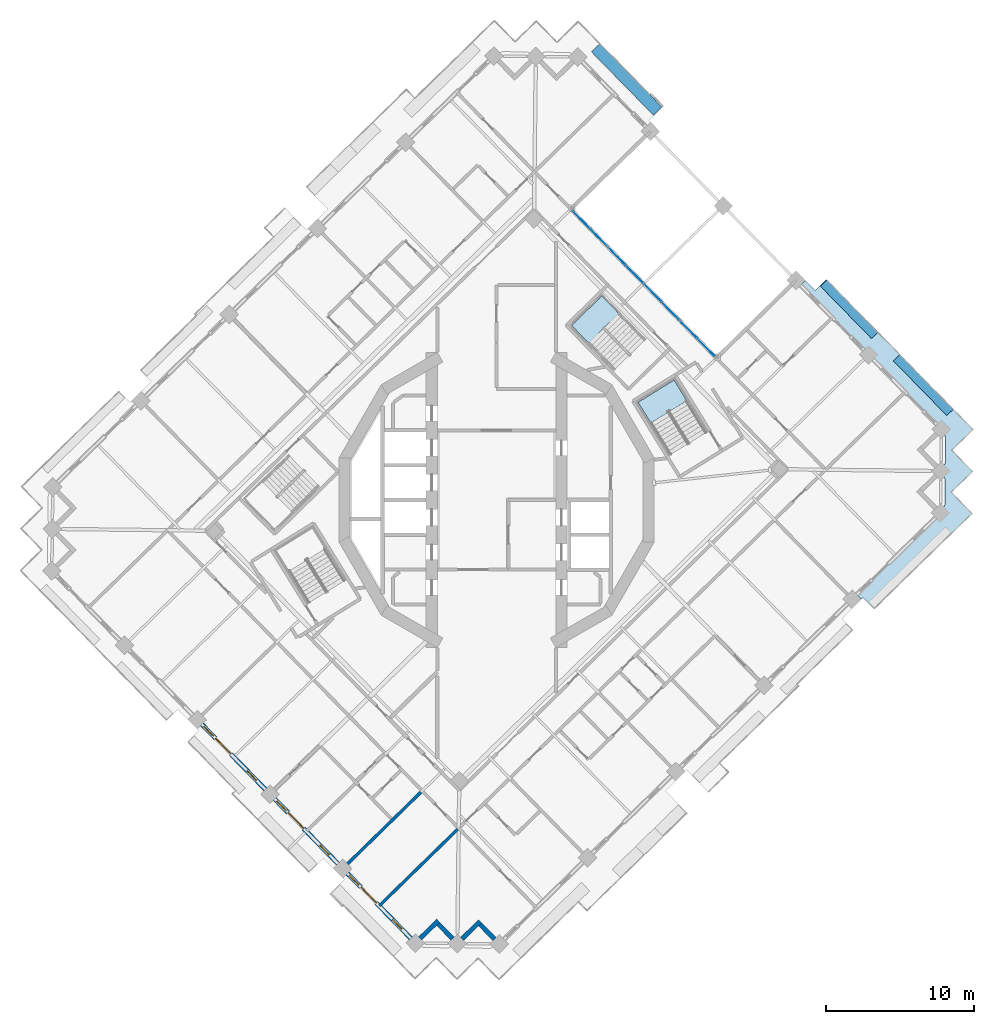
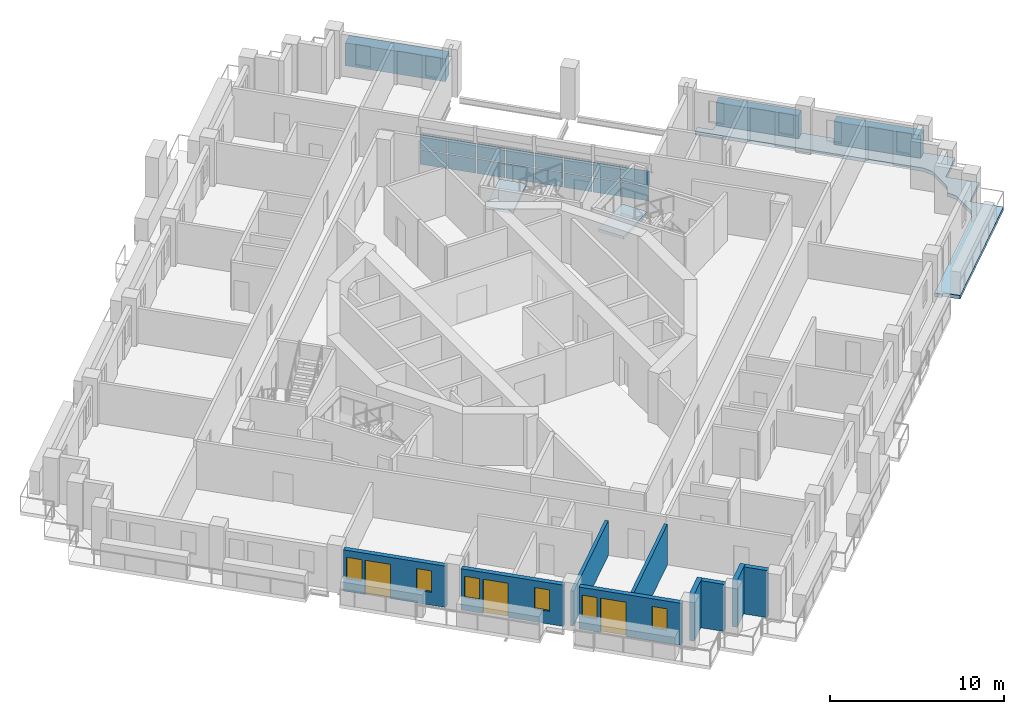
# One storey, part 6 of 20: 19 plates, 9 walls, 6 windows, 3 doors, 3 slabs, 9 openings, 3 elements without a shape of their own.
"""IFC4 building model written with IfcOpenShell, lengths in metres."""

import ifcopenshell
import ifcopenshell.guid

model = None  # the IFC model being written
_history = None  # IfcOwnerHistory: only IFC2X3 demands one
_inside = {}  # id of a spatial element -> (the spatial element, [elements in it])
_under = {}  # id of a project, library or spatial element -> (it, [spatial elements below it])
_declared = {}  # id of a project -> (the project, [libraries it declares])
_typed = {}  # id of a type object -> (the type object, [elements of that type])
_made_of = {}  # id of a material, layer set ... -> (it, [elements and type objects made of it])


def new_model(schema):
    """Start an empty IFC model of exactly this schema.

    Asked for "IFC4X3", IfcOpenShell would pick the latest addendum, in which some entities
    have other attributes; the version numbers below select the first issue.
    IFC2X3 requires an IfcOwnerHistory on every rooted entity: one is made here for all.
    """
    global model, _history
    if schema == "IFC4X3":
        model = ifcopenshell.file(schema_version=(4, 3, 0, 0))
    else:
        model = ifcopenshell.file(schema=schema)
    _inside.clear()
    _under.clear()
    _declared.clear()
    _typed.clear()
    _made_of.clear()
    _history = None
    if model.schema == "IFC2X3":
        org = make("IfcOrganization", Name="unknown")
        user = make(
            "IfcPersonAndOrganization",
            ThePerson=make("IfcPerson", FamilyName="unknown"),
            TheOrganization=org,
        )
        app = make(
            "IfcApplication",
            ApplicationDeveloper=org,
            Version="unknown",
            ApplicationFullName="unknown",
            ApplicationIdentifier="unknown",
        )
        _history = make(
            "IfcOwnerHistory",
            OwningUser=user,
            OwningApplication=app,
            ChangeAction="ADDED",
            CreationDate=0,
        )
    return model


def make(cls, **values):
    """One entity of the class cls with the attributes given. An attribute that is None is left unset."""
    return model.create_entity(
        cls, **{name: value for name, value in values.items() if value is not None}
    )


def rooted(cls, **values):
    """An entity with a GlobalId (a new one), such as an element, a storey or a relation."""
    return make(cls, GlobalId=ifcopenshell.guid.new(), OwnerHistory=_history, **values)


def si_unit(unit_type, name, prefix=None):
    """IfcSIUnit, for example si_unit("LENGTHUNIT", "METRE", prefix="MILLI")."""
    return make("IfcSIUnit", UnitType=unit_type, Prefix=prefix, Name=name)


def assignment(units):
    """IfcUnitAssignment: the units of a project."""
    return None if units is None else make("IfcUnitAssignment", Units=units)


def point(xyz):
    """IfcCartesianPoint."""
    return None if xyz is None else make("IfcCartesianPoint", Coordinates=xyz)


def direction(xyz):
    """IfcDirection."""
    return None if xyz is None else make("IfcDirection", DirectionRatios=xyz)


def frame(location, z_axis=None, x_axis=None):
    """IfcAxis2Placement3D, a coordinate frame: its origin and axes. An axis left out is left unset."""
    return make(
        "IfcAxis2Placement3D",
        Location=point(location),
        Axis=direction(z_axis),
        RefDirection=direction(x_axis),
    )


def frame_2d(location, x_axis=None):
    """IfcAxis2Placement2D, a coordinate frame in the plane: its origin and x axis."""
    return make(
        "IfcAxis2Placement2D", Location=point(location), RefDirection=direction(x_axis)
    )


def origin():
    """The frame at (0, 0, 0) with its axes left unset."""
    return frame((0.0, 0.0, 0.0))


def origin_2d():
    """The frame at (0, 0) in the plane with its x axis left unset."""
    return frame_2d((0.0, 0.0))


def place(relative_to, where):
    """IfcLocalPlacement: puts the frame where relative to a parent placement (None: the world)."""
    return make(
        "IfcLocalPlacement", PlacementRelTo=relative_to, RelativePlacement=where
    )


def context(
    kind, dimensions, precision=None, world=None, true_north=None, identifier=None
):
    """IfcGeometricRepresentationContext, for example the 3D "Model" context."""
    return make(
        "IfcGeometricRepresentationContext",
        ContextIdentifier=identifier,
        ContextType=kind,
        CoordinateSpaceDimension=dimensions,
        Precision=precision,
        WorldCoordinateSystem=world,
        TrueNorth=true_north,
    )


def subcontext(parent, identifier, kind, view, scale=None):
    """IfcGeometricRepresentationSubContext, for example "Body" below "Model"."""
    return make(
        "IfcGeometricRepresentationSubContext",
        ContextIdentifier=identifier,
        ContextType=kind,
        ParentContext=parent,
        TargetScale=scale,
        TargetView=view,
    )


def project(units=None, contexts=None):
    """IfcProject with its units and contexts."""
    return rooted(
        "IfcProject",
        Name="project",
        RepresentationContexts=contexts,
        UnitsInContext=assignment(units),
    )


def spatial(cls, under=None, at=None, **own):
    """A site, building, storey or space (cls), placed at a placement, below another one or the project."""
    s = rooted(cls, ObjectPlacement=at, **own)
    if under is not None:
        _under.setdefault(under.id(), (under, []))[1].append(s)
    return s


def polyline(points):
    """IfcPolyline through the points."""
    return make("IfcPolyline", Points=[point(p) for p in points])


def profile(cls, at=None, kind="AREA", **sizes):
    """A parametric profile (cls). Its sizes go by their IFC names, for example OverallWidth=200.0."""
    return make(cls, ProfileType=kind, Position=at, **sizes)


def rectangle(**sizes):
    """IfcRectangleProfileDef."""
    return profile("IfcRectangleProfileDef", **sizes)


def outline(outer, holes=None, kind="AREA"):
    """IfcArbitraryClosedProfileDef: a profile drawn as a closed curve; with holes, ...WithVoids."""
    if holes is None:
        return make("IfcArbitraryClosedProfileDef", ProfileType=kind, OuterCurve=outer)
    return make(
        "IfcArbitraryProfileDefWithVoids",
        ProfileType=kind,
        OuterCurve=outer,
        InnerCurves=holes,
    )


def extrude(swept, where, along, depth):
    """IfcExtrudedAreaSolid: the profile swept, set in the frame where, extruded along a direction by depth."""
    return make(
        "IfcExtrudedAreaSolid",
        SweptArea=swept,
        Position=where,
        ExtrudedDirection=direction(along),
        Depth=depth,
    )


def shape(context_of_items, identifier, shape_type, items):
    """IfcShapeRepresentation: the items that make up one representation, for example the "Body"."""
    return make(
        "IfcShapeRepresentation",
        ContextOfItems=context_of_items,
        RepresentationIdentifier=identifier,
        RepresentationType=shape_type,
        Items=items,
    )


def material(Name=None, Category=None):
    """IfcMaterial."""
    return make("IfcMaterial", Name=Name, Category=Category)


def layer(
    of_material, thickness, ventilated=None, Name=None, Category=None, Priority=None
):
    """IfcMaterialLayer: one layer of a wall or slab, of a material (None: an air gap)."""
    return make(
        "IfcMaterialLayer",
        Material=of_material,
        LayerThickness=thickness,
        IsVentilated=ventilated,
        Name=Name,
        Category=Category,
        Priority=Priority,
    )


def layer_set(layers, Name=None):
    """IfcMaterialLayerSet."""
    return make("IfcMaterialLayerSet", MaterialLayers=layers, LayerSetName=Name)


def made_of(thing, what):
    """Note that an element or type object is made of a material, layer set ...; save() writes the relation."""
    if what is not None:
        _made_of.setdefault(what.id(), (what, []))[1].append(thing)
    return thing


def type_object(cls, material=None, **own):
    """A type object (cls), such as IfcWallType, which elements share."""
    return made_of(rooted(cls, **own), material)


def element(
    cls,
    number,
    at=None,
    inside=None,
    cuts=None,
    type_object=None,
    material=None,
    context=None,
    identifier="Body",
    shape_type=None,
    held_by="IfcProductDefinitionShape",
    body=None,
    shapes=None,
    **own,
):
    """One element of the class cls, such as IfcWall. Its Tag is "e" and its number.

    at: its placement. inside: the storey or other place that contains it. cuts: it is an
    opening in that element (IfcRelVoidsElement). A single representation is given by context,
    identifier, shape_type and body (its items); several are given by shapes. held_by: the class
    of the entity that holds the representations. save() writes the other relations.
    """
    e = rooted(cls, Tag="e%d" % number, ObjectPlacement=at, **own)
    if body is not None:
        shapes = [shape(context, identifier, shape_type, body)]
    if shapes is not None:
        e.Representation = make(held_by, Representations=shapes)
    if inside is not None:
        _inside.setdefault(inside.id(), (inside, []))[1].append(e)
    if cuts is not None:
        rooted(
            "IfcRelVoidsElement", RelatingBuildingElement=cuts, RelatedOpeningElement=e
        )
    if type_object is not None:
        _typed.setdefault(type_object.id(), (type_object, []))[1].append(e)
    return made_of(e, material)


def fill(opening, filler):
    """IfcRelFillsElement: the door or window that sits in an opening."""
    return rooted(
        "IfcRelFillsElement",
        RelatingOpeningElement=opening,
        RelatedBuildingElement=filler,
    )


def aggregate(whole, parts):
    """IfcRelAggregates: a whole, such as a stair, and the parts it consists of."""
    return rooted("IfcRelAggregates", RelatingObject=whole, RelatedObjects=parts)


def save(model, path):
    """Write the relations noted so far, then the file.

    IfcRelAggregates (storeys below a building ...), IfcRelContainedInSpatialStructure (elements
    in a storey), IfcRelDefinesByType, IfcRelAssociatesMaterial and IfcRelDeclares: one each for
    every whole, place, type object, material and project.
    """
    for whole, parts in _under.values():
        aggregate(whole, parts)
    for where, things in _inside.values():
        rooted(
            "IfcRelContainedInSpatialStructure",
            RelatedElements=things,
            RelatingStructure=where,
        )
    for kind, things in _typed.values():
        rooted("IfcRelDefinesByType", RelatedObjects=things, RelatingType=kind)
    for what, things in _made_of.values():
        rooted("IfcRelAssociatesMaterial", RelatedObjects=things, RelatingMaterial=what)
    for by, libraries in _declared.values():
        rooted("IfcRelDeclares", RelatingContext=by, RelatedDefinitions=libraries)
    model.write(path)


model = new_model("IFC4")

# Units and contexts
model_context = context("Model", 3, precision=1e-05, world=origin(), true_north=direction((0.0, 1.0)))
body_context = subcontext(model_context, "Body", "Model", "MODEL_VIEW")
ifc_project = project(units=[si_unit("LENGTHUNIT", "METRE"), si_unit("AREAUNIT", "SQUARE_METRE"), si_unit("VOLUMEUNIT", "CUBIC_METRE"), si_unit("PLANEANGLEUNIT", "RADIAN"), si_unit("MASSUNIT", "GRAM", prefix="KILO")], contexts=[model_context])

# Site, building, storey
site_placement = place(None, origin())
site = spatial("IfcSite", under=ifc_project, at=site_placement, CompositionType="ELEMENT")
building_placement = place(site_placement, origin())
building = spatial("IfcBuilding", under=site, at=building_placement, Name="Cantera Rosa Tower", CompositionType="ELEMENT")
storey_placement = place(building_placement, frame((0.0, 0.0, 212.60009765625)))
storey = spatial("IfcBuildingStorey", under=building, at=storey_placement, Name="L45", CompositionType="ELEMENT", Elevation=212.60009765625)

# Curtain wall, plates
ifc_material_1 = material(Name="Aluminium frame with clear glass", Category="aluminium")
curtain_wall_type = type_object("IfcCurtainWallType", Name="CW1 TERRACE POCKET GLAZING", PredefinedType="NOTDEFINED", material=ifc_material_1)
curtain_wall_placement = place(storey_placement, origin())
curtain_wall = element("IfcCurtainWall", 1, at=curtain_wall_placement, inside=storey, type_object=curtain_wall_type, Name="CW1 CW1", PredefinedType="NOTDEFINED")
ifc_material_2 = material(Name="Aluminium frame with clear glass", Category="aluminium")
ifc_layer_1 = layer(ifc_material_2, 0.028076171875)
ifc_layer_set_1 = layer_set([ifc_layer_1], Name="CW-PANEL POCKET")
plate_type_1 = type_object("IfcPlateType", Name="CW-PANEL POCKET", PredefinedType="CURTAIN_PANEL", material=ifc_layer_set_1)
plate_1_placement = place(storey_placement, frame((14.127197265625, 10.295654296875, 0.059814453125), z_axis=(0.0, 0.0, 1.0), x_axis=(-0.698831540376, 0.715286291058, 0.0)))
plate_1 = element("IfcPlate", 2, at=plate_1_placement, type_object=plate_type_1, Name="CW1 panel 1.1", PredefinedType="CURTAIN_PANEL", context=body_context, shape_type="SweptSolid", body=[
    extrude(rectangle(XDim=1.6337890625, YDim=0.028076171875, at=origin_2d()), origin(), (0.0, 0.0, 1.0), 1.01611328125),
])
plate_2_placement = place(storey_placement, frame((14.127197265625, 10.295654296875, 1.1357421875), z_axis=(0.0, 0.0, 1.0), x_axis=(-0.698831540376, 0.715286291058, 0.0)))
plate_2 = element("IfcPlate", 3, at=plate_2_placement, type_object=plate_type_1, Name="CW1 panel 1.2", PredefinedType="CURTAIN_PANEL", context=body_context, shape_type="SweptSolid", body=[
    extrude(rectangle(XDim=1.6337890625, YDim=0.028076171875, at=origin_2d()), origin(), (0.0, 0.0, 1.0), 1.01611328125),
])
plate_3_placement = place(storey_placement, frame((12.93310546875, 11.51806640625, 0.059814453125), z_axis=(0.0, 0.0, 1.0), x_axis=(-0.698831540376, 0.715286291058, 0.0)))
plate_3 = element("IfcPlate", 4, at=plate_3_placement, type_object=plate_type_1, Name="CW1 panel 2.1", PredefinedType="CURTAIN_PANEL", context=body_context, shape_type="SweptSolid", body=[
    extrude(rectangle(XDim=1.663818359375, YDim=0.028076171875, at=origin_2d()), origin(), (0.0, 0.0, 1.0), 1.01611328125),
])
plate_4_placement = place(storey_placement, frame((12.93310546875, 11.51806640625, 1.1357421875), z_axis=(0.0, 0.0, 1.0), x_axis=(-0.698831540376, 0.715286291058, 0.0)))
plate_4 = element("IfcPlate", 5, at=plate_4_placement, type_object=plate_type_1, Name="CW1 panel 2.2", PredefinedType="CURTAIN_PANEL", context=body_context, shape_type="SweptSolid", body=[
    extrude(rectangle(XDim=1.663818359375, YDim=0.028076171875, at=origin_2d()), origin(), (0.0, 0.0, 1.0), 1.01611328125),
])
plate_5_placement = place(storey_placement, frame((11.728515625, 12.7509765625, 0.059814453125), z_axis=(0.0, 0.0, 1.0), x_axis=(-0.698831540376, 0.715286291058, 0.0)))
plate_5 = element("IfcPlate", 6, at=plate_5_placement, type_object=plate_type_1, Name="CW1 panel 3.1", PredefinedType="CURTAIN_PANEL", context=body_context, shape_type="SweptSolid", body=[
    extrude(rectangle(XDim=1.663818359375, YDim=0.028076171875, at=origin_2d()), origin(), (0.0, 0.0, 1.0), 1.01611328125),
])
plate_6_placement = place(storey_placement, frame((11.728515625, 12.7509765625, 1.1357421875), z_axis=(0.0, 0.0, 1.0), x_axis=(-0.698831540376, 0.715286291058, 0.0)))
plate_6 = element("IfcPlate", 7, at=plate_6_placement, type_object=plate_type_1, Name="CW1 panel 3.2", PredefinedType="CURTAIN_PANEL", context=body_context, shape_type="SweptSolid", body=[
    extrude(rectangle(XDim=1.663818359375, YDim=0.028076171875, at=origin_2d()), origin(), (0.0, 0.0, 1.0), 1.01611328125),
])
plate_7_placement = place(storey_placement, frame((10.52392578125, 13.98388671875, 0.059814453125), z_axis=(0.0, 0.0, 1.0), x_axis=(-0.698831540376, 0.715286291058, 0.0)))
plate_7 = element("IfcPlate", 8, at=plate_7_placement, type_object=plate_type_1, Name="CW1 panel 4.1", PredefinedType="CURTAIN_PANEL", context=body_context, shape_type="SweptSolid", body=[
    extrude(rectangle(XDim=1.663818359375, YDim=0.028076171875, at=origin_2d()), origin(), (0.0, 0.0, 1.0), 1.01611328125),
])
plate_8_placement = place(storey_placement, frame((10.52392578125, 13.98388671875, 1.1357421875), z_axis=(0.0, 0.0, 1.0), x_axis=(-0.698831540376, 0.715286291058, 0.0)))
plate_8 = element("IfcPlate", 9, at=plate_8_placement, type_object=plate_type_1, Name="CW1 panel 4.2", PredefinedType="CURTAIN_PANEL", context=body_context, shape_type="SweptSolid", body=[
    extrude(rectangle(XDim=1.663818359375, YDim=0.028076171875, at=origin_2d()), origin(), (0.0, 0.0, 1.0), 1.01611328125),
])
plate_9_placement = place(storey_placement, frame((9.3193359375, 15.217041015625, 0.059814453125), z_axis=(0.0, 0.0, 1.0), x_axis=(-0.698831540376, 0.715286291058, 0.0)))
plate_9 = element("IfcPlate", 10, at=plate_9_placement, type_object=plate_type_1, Name="CW1 panel 5.1", PredefinedType="CURTAIN_PANEL", context=body_context, shape_type="SweptSolid", body=[
    extrude(rectangle(XDim=1.663818359375, YDim=0.028076171875, at=origin_2d()), origin(), (0.0, 0.0, 1.0), 1.01611328125),
])
plate_10_placement = place(storey_placement, frame((9.3193359375, 15.217041015625, 1.1357421875), z_axis=(0.0, 0.0, 1.0), x_axis=(-0.698831540376, 0.715286291058, 0.0)))
plate_10 = element("IfcPlate", 11, at=plate_10_placement, type_object=plate_type_1, Name="CW1 panel 5.2", PredefinedType="CURTAIN_PANEL", context=body_context, shape_type="SweptSolid", body=[
    extrude(rectangle(XDim=1.663818359375, YDim=0.028076171875, at=origin_2d()), origin(), (0.0, 0.0, 1.0), 1.01611328125),
])
plate_11_placement = place(storey_placement, frame((8.11474609375, 16.449951171875, 0.059814453125), z_axis=(0.0, 0.0, 1.0), x_axis=(-0.698831540376, 0.715286291058, 0.0)))
plate_11 = element("IfcPlate", 12, at=plate_11_placement, type_object=plate_type_1, Name="CW1 panel 6.1", PredefinedType="CURTAIN_PANEL", context=body_context, shape_type="SweptSolid", body=[
    extrude(rectangle(XDim=1.663818359375, YDim=0.028076171875, at=origin_2d()), origin(), (0.0, 0.0, 1.0), 1.01611328125),
])
plate_12_placement = place(storey_placement, frame((8.11474609375, 16.449951171875, 1.1357421875), z_axis=(0.0, 0.0, 1.0), x_axis=(-0.698831540376, 0.715286291058, 0.0)))
plate_12 = element("IfcPlate", 13, at=plate_12_placement, type_object=plate_type_1, Name="CW1 panel 6.2", PredefinedType="CURTAIN_PANEL", context=body_context, shape_type="SweptSolid", body=[
    extrude(rectangle(XDim=1.663818359375, YDim=0.028076171875, at=origin_2d()), origin(), (0.0, 0.0, 1.0), 1.01611328125),
])
plate_13_placement = place(storey_placement, frame((6.909912109375, 17.682861328125, 0.059814453125), z_axis=(0.0, 0.0, 1.0), x_axis=(-0.698831540376, 0.715286291058, 0.0)))
plate_13 = element("IfcPlate", 14, at=plate_13_placement, type_object=plate_type_1, Name="CW1 panel 7.1", PredefinedType="CURTAIN_PANEL", context=body_context, shape_type="SweptSolid", body=[
    extrude(rectangle(XDim=1.663818359375, YDim=0.028076171875, at=origin_2d()), origin(), (0.0, 0.0, 1.0), 1.01611328125),
])
plate_14_placement = place(storey_placement, frame((6.909912109375, 17.682861328125, 1.1357421875), z_axis=(0.0, 0.0, 1.0), x_axis=(-0.698831540376, 0.715286291058, 0.0)))
plate_14 = element("IfcPlate", 15, at=plate_14_placement, type_object=plate_type_1, Name="CW1 panel 7.2", PredefinedType="CURTAIN_PANEL", context=body_context, shape_type="SweptSolid", body=[
    extrude(rectangle(XDim=1.663818359375, YDim=0.028076171875, at=origin_2d()), origin(), (0.0, 0.0, 1.0), 1.01611328125),
])
plate_15_placement = place(storey_placement, frame((5.7158203125, 18.905029296875, 0.059814453125), z_axis=(0.0, 0.0, 1.0), x_axis=(-0.698831540376, 0.715286291058, 0.0)))
plate_15 = element("IfcPlate", 16, at=plate_15_placement, type_object=plate_type_1, Name="CW1 panel 8.1", PredefinedType="CURTAIN_PANEL", context=body_context, shape_type="SweptSolid", body=[
    extrude(rectangle(XDim=1.6337890625, YDim=0.028076171875, at=origin_2d()), origin(), (0.0, 0.0, 1.0), 1.01611328125),
])
plate_16_placement = place(storey_placement, frame((5.7158203125, 18.905029296875, 1.1357421875), z_axis=(0.0, 0.0, 1.0), x_axis=(-0.698831540376, 0.715286291058, 0.0)))
plate_16 = element("IfcPlate", 17, at=plate_16_placement, type_object=plate_type_1, Name="CW1 panel 8.2", PredefinedType="CURTAIN_PANEL", context=body_context, shape_type="SweptSolid", body=[
    extrude(rectangle(XDim=1.6337890625, YDim=0.028076171875, at=origin_2d()), origin(), (0.0, 0.0, 1.0), 1.01611328125),
])
aggregate(curtain_wall, [plate_1, plate_2, plate_3, plate_4, plate_5, plate_6, plate_7, plate_8, plate_9, plate_10, plate_11, plate_12, plate_13, plate_14, plate_15, plate_16])

# Slab
ifc_material_3 = material(Name="Concrete C35/45", Category="concrete")
ifc_layer_2 = layer(ifc_material_3, 0.25)
ifc_layer_set_2 = layer_set([ifc_layer_2], Name="LOGGIA SLAB 250 C35/45")
slab_type_1 = type_object("IfcSlabType", Name="LOGGIA SLAB 250 C35/45", PredefinedType="FLOOR", material=ifc_layer_set_2)
slab_1_placement = place(storey_placement, frame((0.0, 0.0, -0.25)))
element("IfcSlab", 18, at=slab_1_placement, inside=storey, type_object=slab_type_1, Name="LOGGIA SLAB L45 7", PredefinedType="FLOOR", context=body_context, shape_type="SweptSolid", body=[
    extrude(outline(polyline([(27.218994140625, 9.7744140625), (31.076416015625, 5.825927734375), (32.124755859375, 4.753173828125), (31.0517578125, 3.704833984375), (30.694091796875, 3.35546875), (31.043701171875, 2.997802734375), (32.091796875, 1.9248046875), (31.018798828125, 0.876708984375), (30.661376953125, 0.527099609375), (31.0107421875, 0.16943359375), (32.05908203125, -0.9033203125), (30.986083984375, -1.95166015625), (26.10791015625, -6.7177734375), (25.464111328125, -7.3466796875), (24.730224609375, -6.595703125), (24.622802734375, -6.700439453125), (24.30859375, -6.37841796875), (29.937744140625, -0.878662109375), (30.2080078125, -0.386962890625), (30.220947265625, -0.3603515625), (30.231201171875, -0.332763671875), (30.23876953125, -0.30419921875), (30.243408203125, -0.275146484375), (30.2451171875, -0.245849609375), (30.26318359375, 1.309814453125), (30.26220703125, 1.339111328125), (30.25830078125, 1.368408203125), (30.25146484375, 1.39697265625), (30.24169921875, 1.4248046875), (30.2294921875, 1.451416015625), (29.970703125, 1.949462890625), (30.240966796875, 2.44140625), (30.25390625, 2.4677734375), (30.26416015625, 2.495361328125), (30.271484375, 2.52392578125), (30.2763671875, 2.552978515625), (30.278076171875, 2.58251953125), (30.296142578125, 4.137939453125), (30.295166015625, 4.167236328125), (30.291015625, 4.196533203125), (30.2841796875, 4.22509765625), (30.274658203125, 4.2529296875), (30.262451171875, 4.27978515625), (30.003662109375, 4.777587890625), (20.506591796875, 14.49853515625), (20.828369140625, 14.81298828125), (21.4921875, 14.13330078125), (22.243408203125, 14.8671875), (22.313232421875, 14.795654296875), (25.12255859375, 11.920166015625), (27.218994140625, 9.7744140625)])), origin(), (0.0, 0.0, 1.0), 0.25),
])

# Plates
ifc_material_4 = material(Name="Cantera stone planter with soil", Category="masonry")
plate_type_2 = type_object("IfcPlateType", Name="PLANTER 600", PredefinedType="USERDEFINED", material=ifc_material_4)
plate_17_placement = place(storey_placement, frame((28.77587890625, 7.75146484375, -0.000244140625), z_axis=(0.0, 0.0, 1.0), x_axis=(-0.698831540364, 0.71528629107, 0.0)))
element("IfcPlate", 19, at=plate_17_placement, inside=storey, type_object=plate_type_2, Name="PLANTER L45-01", ObjectType="PLANTER", PredefinedType="USERDEFINED", context=body_context, shape_type="SweptSolid", body=[
    extrude(rectangle(XDim=5.169921875, YDim=0.60009765625, at=origin_2d()), origin(), (0.0, 0.0, 1.0), 1.60009765625),
])
plate_18_placement = place(storey_placement, frame((23.78271484375, 12.8623046875, -0.000244140625), z_axis=(0.0, 0.0, 1.0), x_axis=(-0.698831540364, 0.71528629107, 0.0)))
element("IfcPlate", 20, at=plate_18_placement, inside=storey, type_object=plate_type_2, Name="PLANTER L45-02", ObjectType="PLANTER", PredefinedType="USERDEFINED", context=body_context, shape_type="SweptSolid", body=[
    extrude(rectangle(XDim=4.919921875, YDim=0.60009765625, at=origin_2d()), origin(), (0.0, 0.0, 1.0), 1.60009765625),
])
ifc_material_5 = material(Name="Cantera stone planter with soil", Category="masonry")
plate_type_3 = type_object("IfcPlateType", Name="PLANTER 800", PredefinedType="USERDEFINED", material=ifc_material_5)
plate_19_placement = place(storey_placement, frame((8.77001953125, 28.37158203125, -0.000244140625), z_axis=(0.0, 0.0, 1.0), x_axis=(-0.698831540364, 0.71528629107, 0.0)))
element("IfcPlate", 21, at=plate_19_placement, inside=storey, type_object=plate_type_3, Name="PLANTER L45-05", ObjectType="PLANTER", PredefinedType="USERDEFINED", context=body_context, shape_type="SweptSolid", body=[
    extrude(rectangle(XDim=5.969970703125, YDim=0.800048828125, at=origin_2d()), origin(), (0.0, 0.0, 1.0), 1.60009765625),
])

# Stair, slab
ifc_material_6 = material(Name="Concrete C35/45", Category="concrete")
stair_type = type_object("IfcStairType", Name="EXIT STAIR 1350 DOGLEG", PredefinedType="HALF_TURN_STAIR", material=ifc_material_6)
stair_1_placement = place(storey_placement, origin())
stair_1 = element("IfcStair", 22, at=stair_1_placement, inside=storey, type_object=stair_type, Name="L45 ST-41", PredefinedType="HALF_TURN_STAIR")
ifc_material_7 = material(Name="Concrete C35/45", Category="concrete")
ifc_layer_3 = layer(ifc_material_7, 0.199951171875)
ifc_layer_set_3 = layer_set([ifc_layer_3], Name="STAIR LANDING 200")
slab_type_2 = type_object("IfcSlabType", Name="STAIR LANDING 200", PredefinedType="LANDING", material=ifc_layer_set_3)
slab_2_placement = place(storey_placement, frame((0.0, 0.0, 1.599853515625)))
slab_2 = element("IfcSlab", 23, at=slab_2_placement, type_object=slab_type_2, Name="ST-41 landing 1", PredefinedType="LANDING", context=body_context, shape_type="SweptSolid", body=[
    extrude(outline(polyline([(12.8310546875, 6.691162109375), (11.96923828125, 8.088623046875), (9.54345703125, 6.592529296875), (10.405517578125, 5.19482421875), (12.8310546875, 6.691162109375)])), origin(), (0.0, 0.0, 1.0), 0.199951171875),
])
aggregate(stair_1, [slab_2])

stair_2_placement = place(storey_placement, origin())
stair_2 = element("IfcStair", 24, at=stair_2_placement, inside=storey, type_object=stair_type, Name="L45 ST-42", PredefinedType="HALF_TURN_STAIR")
slab_3_placement = place(storey_placement, frame((0.0, 0.0, 1.599853515625)))
slab_3 = element("IfcSlab", 25, at=slab_3_placement, type_object=slab_type_2, Name="ST-42 landing 1", PredefinedType="LANDING", context=body_context, shape_type="SweptSolid", body=[
    extrude(outline(polyline([(8.244873046875, 12.58837890625), (7.097412109375, 13.762939453125), (5.058837890625, 11.771240234375), (6.206298828125, 10.5966796875), (8.244873046875, 12.58837890625)])), origin(), (0.0, 0.0, 1.0), 0.199951171875),
])
aggregate(stair_2, [slab_3])

# Walls
ifc_material_8 = material(Name="Hollow clay masonry with cantera stone cladding", Category="masonry")
ifc_layer_4 = layer(ifc_material_8, 0.300048828125)
ifc_layer_set_4 = layer_set([ifc_layer_4], Name="EW-LOGGIA 300")
wall_type_1 = type_object("IfcWallType", Name="EW-LOGGIA 300", PredefinedType="SOLIDWALL", material=ifc_layer_set_4)
wall_1_placement = place(storey_placement, frame((-5.15283203125, -29.56982421875, 0.0), z_axis=(0.0, 0.0, 1.0), x_axis=(0.715316077832, 0.69880105094, 0.0)))
element("IfcWall", 26, at=wall_1_placement, inside=storey, type_object=wall_type_1, Name="EN-L45-W19a", PredefinedType="SOLIDWALL", context=body_context, shape_type="SweptSolid", body=[
    extrude(rectangle(XDim=1.699951171875, YDim=0.300048828125, at=frame_2d((0.85009765625, 0.0))), origin(), (0.0, 0.0, 1.0), 3.2998046875),
])
wall_2_placement = place(storey_placement, frame((-3.939208984375, -28.593994140625, 0.0), z_axis=(0.0, 0.0, 1.0), x_axis=(0.698861982187, -0.715256548278, 0.0)))
element("IfcWall", 27, at=wall_2_placement, inside=storey, type_object=wall_type_1, Name="EN-L45-W19b", PredefinedType="SOLIDWALL", context=body_context, shape_type="SweptSolid", body=[
    extrude(rectangle(XDim=1.39990234375, YDim=0.300048828125, at=frame_2d((0.699951171875, 0.0))), origin(), (0.0, 0.0, 1.0), 3.2998046875),
])
wall_3_placement = place(storey_placement, frame((-2.324462890625, -29.602783203125, 0.0), z_axis=(0.0, 0.0, 1.0), x_axis=(0.715316077832, 0.69880105094, 0.0)))
element("IfcWall", 28, at=wall_3_placement, inside=storey, type_object=wall_type_1, Name="EN-L45-W20a", PredefinedType="SOLIDWALL", context=body_context, shape_type="SweptSolid", body=[
    extrude(rectangle(XDim=1.699951171875, YDim=0.300048828125, at=frame_2d((0.85009765625, 0.0))), origin(), (0.0, 0.0, 1.0), 3.2998046875),
])
wall_4_placement = place(storey_placement, frame((-1.111083984375, -28.626953125, 0.0), z_axis=(0.0, 0.0, 1.0), x_axis=(0.698951192766, -0.71516937164, 0.0)))
element("IfcWall", 29, at=wall_4_placement, inside=storey, type_object=wall_type_1, Name="EN-L45-W20b", PredefinedType="SOLIDWALL", context=body_context, shape_type="SweptSolid", body=[
    extrude(rectangle(XDim=1.39990234375, YDim=0.300048828125, at=frame_2d((0.699951171875, 0.0))), origin(), (0.0, 0.0, 1.0), 3.2998046875),
])

# Wall, openings, windows, door
ifc_material_9 = material(Name="Hollow clay masonry with cantera stone cladding", Category="masonry")
ifc_layer_5 = layer(ifc_material_9, 0.300048828125)
ifc_layer_set_5 = layer_set([ifc_layer_5], Name="EW-LOGGIA 300 H2890")
wall_type_2 = type_object("IfcWallType", Name="EW-LOGGIA 300 H2890", PredefinedType="SOLIDWALL", material=ifc_layer_set_5)
wall_5_placement = place(storey_placement, frame((-19.87744140625, -15.142333984375, 0.0), z_axis=(0.0, 0.0, 1.0), x_axis=(0.698841120217, -0.71527693147, 0.0)))
wall_5 = element("IfcWall", 30, at=wall_5_placement, inside=storey, type_object=wall_type_2, Name="EN-L45-W16", PredefinedType="SOLIDWALL", context=body_context, shape_type="SweptSolid", body=[
    extrude(rectangle(XDim=6.119873046875, YDim=0.300048828125, at=frame_2d((3.06005859375, 0.0))), origin(), (0.0, 0.0, 1.0), 2.889892578125),
])
opening_1_placement = place(wall_5_placement, frame((0.199951171875, 0.0, 0.89990234375)))
opening_1 = element("IfcOpeningElement", 31, at=opening_1_placement, cuts=wall_5, Name="Opening L45-W28", PredefinedType="OPENING", context=body_context, shape_type="SweptSolid", body=[
    extrude(rectangle(XDim=0.89990234375, YDim=1.5, at=frame_2d((0.449951171875, 0.75))), frame((0.0, 0.159912109375, 0.0), z_axis=(0.0, -1.0, 0.0), x_axis=(1.0, 0.0, 0.0)), (0.0, 0.0, 1.0), 0.320068359375),
])
opening_2_placement = place(wall_5_placement, frame((1.300048828125, 0.0, 0.0)))
opening_2 = element("IfcOpeningElement", 32, at=opening_2_placement, cuts=wall_5, Name="Opening L45-TD29", PredefinedType="OPENING", context=body_context, shape_type="SweptSolid", body=[
    extrude(rectangle(XDim=1.5, YDim=2.39990234375, at=frame_2d((0.75, 1.199951171875))), frame((0.0, 0.159912109375, 0.0), z_axis=(0.0, -1.0, 0.0), x_axis=(1.0, 0.0, 0.0)), (0.0, 0.0, 1.0), 0.320068359375),
])
opening_3_placement = place(wall_5_placement, frame((4.364990234375, 0.0, 0.89990234375)))
opening_3 = element("IfcOpeningElement", 33, at=opening_3_placement, cuts=wall_5, Name="Opening L45-W30", PredefinedType="OPENING", context=body_context, shape_type="SweptSolid", body=[
    extrude(rectangle(XDim=0.89990234375, YDim=1.5, at=frame_2d((0.449951171875, 0.75))), frame((0.0, 0.159912109375, 0.0), z_axis=(0.0, -1.0, 0.0), x_axis=(1.0, 0.0, 0.0)), (0.0, 0.0, 1.0), 0.320068359375),
])
ifc_material_10 = material(Name="Aluminium frame with clear glass", Category="aluminium")
window_type = type_object("IfcWindowType", Name="Residential window 900x1500", PartitioningType="SINGLE_PANEL", PredefinedType="WINDOW", material=ifc_material_10)
window_1_placement = place(opening_1_placement, origin())
window_1 = element("IfcWindow", 34, at=window_1_placement, inside=storey, type_object=window_type, Name="WINDOW L45-W28", OverallHeight=1.5, OverallWidth=0.89990234375, PartitioningType="SINGLE_PANEL", PredefinedType="WINDOW", context=body_context, shape_type="SweptSolid", body=[
    extrude(rectangle(XDim=0.89990234375, YDim=1.5, at=frame_2d((0.449951171875, 0.75))), frame((0.0, 0.030029296875, 0.0), z_axis=(0.0, -1.0, 0.0), x_axis=(1.0, 0.0, 0.0)), (0.0, 0.0, 1.0), 0.06005859375),
])
fill(opening_1, window_1)
window_2_placement = place(opening_3_placement, origin())
window_2 = element("IfcWindow", 35, at=window_2_placement, inside=storey, type_object=window_type, Name="WINDOW L45-W30", OverallHeight=1.5, OverallWidth=0.89990234375, PartitioningType="SINGLE_PANEL", PredefinedType="WINDOW", context=body_context, shape_type="SweptSolid", body=[
    extrude(rectangle(XDim=0.89990234375, YDim=1.5, at=frame_2d((0.449951171875, 0.75))), frame((0.0, 0.030029296875, 0.0), z_axis=(0.0, -1.0, 0.0), x_axis=(1.0, 0.0, 0.0)), (0.0, 0.0, 1.0), 0.06005859375),
])
fill(opening_3, window_2)
ifc_material_11 = material(Name="Aluminium frame with clear glass", Category="aluminium")
door_type = type_object("IfcDoorType", Name="TD-R 1500x2400", OperationType="NOTDEFINED", PredefinedType="DOOR", material=ifc_material_11)
door_1_placement = place(opening_2_placement, origin())
door_1 = element("IfcDoor", 36, at=door_1_placement, inside=storey, type_object=door_type, Name="LOGGIA DOOR L45-TD29", OperationType="SLIDING_TO_LEFT", OverallHeight=2.39990234375, OverallWidth=1.5, PredefinedType="DOOR", context=body_context, shape_type="SweptSolid", body=[
    extrude(rectangle(XDim=1.5, YDim=2.39990234375, at=frame_2d((0.75, 1.199951171875))), frame((0.0, 0.02490234375, 0.0), z_axis=(0.0, -1.0, 0.0), x_axis=(1.0, 0.0, 0.0)), (0.0, 0.0, 1.0), 0.050048828125),
])
fill(opening_2, door_1)

wall_6_placement = place(storey_placement, frame((-14.9716796875, -20.16357421875, 0.0), z_axis=(0.0, 0.0, 1.0), x_axis=(0.698841120217, -0.71527693147, 0.0)))
wall_6 = element("IfcWall", 37, at=wall_6_placement, inside=storey, type_object=wall_type_2, Name="EN-L45-W17", PredefinedType="SOLIDWALL", context=body_context, shape_type="SweptSolid", body=[
    extrude(rectangle(XDim=6.119873046875, YDim=0.300048828125, at=frame_2d((3.06005859375, 0.0))), origin(), (0.0, 0.0, 1.0), 2.889892578125),
])
opening_4_placement = place(wall_6_placement, frame((0.199951171875, 0.0, 0.89990234375)))
opening_4 = element("IfcOpeningElement", 38, at=opening_4_placement, cuts=wall_6, Name="Opening L45-W31", PredefinedType="OPENING", context=body_context, shape_type="SweptSolid", body=[
    extrude(rectangle(XDim=0.89990234375, YDim=1.5, at=frame_2d((0.449951171875, 0.75))), frame((0.0, 0.159912109375, 0.0), z_axis=(0.0, -1.0, 0.0), x_axis=(1.0, 0.0, 0.0)), (0.0, 0.0, 1.0), 0.320068359375),
])
opening_5_placement = place(wall_6_placement, frame((1.300048828125, 0.0, 0.0)))
opening_5 = element("IfcOpeningElement", 39, at=opening_5_placement, cuts=wall_6, Name="Opening L45-TD32", PredefinedType="OPENING", context=body_context, shape_type="SweptSolid", body=[
    extrude(rectangle(XDim=1.5, YDim=2.39990234375, at=frame_2d((0.75, 1.199951171875))), frame((0.0, 0.159912109375, 0.0), z_axis=(0.0, -1.0, 0.0), x_axis=(1.0, 0.0, 0.0)), (0.0, 0.0, 1.0), 0.320068359375),
])
opening_6_placement = place(wall_6_placement, frame((4.364990234375, 0.0, 0.89990234375)))
opening_6 = element("IfcOpeningElement", 40, at=opening_6_placement, cuts=wall_6, Name="Opening L45-W33", PredefinedType="OPENING", context=body_context, shape_type="SweptSolid", body=[
    extrude(rectangle(XDim=0.89990234375, YDim=1.5, at=frame_2d((0.449951171875, 0.75))), frame((0.0, 0.159912109375, 0.0), z_axis=(0.0, -1.0, 0.0), x_axis=(1.0, 0.0, 0.0)), (0.0, 0.0, 1.0), 0.320068359375),
])
window_3_placement = place(opening_4_placement, origin())
window_3 = element("IfcWindow", 41, at=window_3_placement, inside=storey, type_object=window_type, Name="WINDOW L45-W31", OverallHeight=1.5, OverallWidth=0.89990234375, PartitioningType="SINGLE_PANEL", PredefinedType="WINDOW", context=body_context, shape_type="SweptSolid", body=[
    extrude(rectangle(XDim=0.89990234375, YDim=1.5, at=frame_2d((0.449951171875, 0.75))), frame((0.0, 0.030029296875, 0.0), z_axis=(0.0, -1.0, 0.0), x_axis=(1.0, 0.0, 0.0)), (0.0, 0.0, 1.0), 0.06005859375),
])
fill(opening_4, window_3)
window_4_placement = place(opening_6_placement, origin())
window_4 = element("IfcWindow", 42, at=window_4_placement, inside=storey, type_object=window_type, Name="WINDOW L45-W33", OverallHeight=1.5, OverallWidth=0.89990234375, PartitioningType="SINGLE_PANEL", PredefinedType="WINDOW", context=body_context, shape_type="SweptSolid", body=[
    extrude(rectangle(XDim=0.89990234375, YDim=1.5, at=frame_2d((0.449951171875, 0.75))), frame((0.0, 0.030029296875, 0.0), z_axis=(0.0, -1.0, 0.0), x_axis=(1.0, 0.0, 0.0)), (0.0, 0.0, 1.0), 0.06005859375),
])
fill(opening_6, window_4)
door_2_placement = place(opening_5_placement, origin())
door_2 = element("IfcDoor", 43, at=door_2_placement, inside=storey, type_object=door_type, Name="LOGGIA DOOR L45-TD32", OperationType="SLIDING_TO_LEFT", OverallHeight=2.39990234375, OverallWidth=1.5, PredefinedType="DOOR", context=body_context, shape_type="SweptSolid", body=[
    extrude(rectangle(XDim=1.5, YDim=2.39990234375, at=frame_2d((0.75, 1.199951171875))), frame((0.0, 0.02490234375, 0.0), z_axis=(0.0, -1.0, 0.0), x_axis=(1.0, 0.0, 0.0)), (0.0, 0.0, 1.0), 0.050048828125),
])
fill(opening_5, door_2)

ifc_material_12 = material(Name="Hollow clay masonry with cantera stone cladding", Category="masonry")
ifc_layer_6 = layer(ifc_material_12, 0.300048828125)
ifc_layer_set_6 = layer_set([ifc_layer_6], Name="EW-LOGGIA 300 H2940")
wall_type_3 = type_object("IfcWallType", Name="EW-LOGGIA 300 H2940", PredefinedType="SOLIDWALL", material=ifc_layer_set_6)
wall_7_placement = place(storey_placement, frame((-10.06591796875, -25.184814453125, 0.0), z_axis=(0.0, 0.0, 1.0), x_axis=(0.69882117953, -0.715296413412, 0.0)))
wall_7 = element("IfcWall", 44, at=wall_7_placement, inside=storey, type_object=wall_type_3, Name="EN-L45-W18", PredefinedType="SOLIDWALL", context=body_context, shape_type="SweptSolid", body=[
    extrude(rectangle(XDim=6.1201171875, YDim=0.300048828125, at=frame_2d((3.06005859375, 0.0))), origin(), (0.0, 0.0, 1.0), 2.93994140625),
])
opening_7_placement = place(wall_7_placement, frame((0.199951171875, 0.0, 0.89990234375)))
opening_7 = element("IfcOpeningElement", 45, at=opening_7_placement, cuts=wall_7, Name="Opening L45-W34", PredefinedType="OPENING", context=body_context, shape_type="SweptSolid", body=[
    extrude(rectangle(XDim=0.89990234375, YDim=1.5, at=frame_2d((0.449951171875, 0.75))), frame((0.0, 0.159912109375, 0.0), z_axis=(0.0, -1.0, 0.0), x_axis=(1.0, 0.0, 0.0)), (0.0, 0.0, 1.0), 0.320068359375),
])
opening_8_placement = place(wall_7_placement, frame((1.300048828125, 0.0, 0.0)))
opening_8 = element("IfcOpeningElement", 46, at=opening_8_placement, cuts=wall_7, Name="Opening L45-TD35", PredefinedType="OPENING", context=body_context, shape_type="SweptSolid", body=[
    extrude(rectangle(XDim=1.5, YDim=2.39990234375, at=frame_2d((0.75, 1.199951171875))), frame((0.0, 0.159912109375, 0.0), z_axis=(0.0, -1.0, 0.0), x_axis=(1.0, 0.0, 0.0)), (0.0, 0.0, 1.0), 0.320068359375),
])
opening_9_placement = place(wall_7_placement, frame((4.364990234375, 0.0, 0.89990234375)))
opening_9 = element("IfcOpeningElement", 47, at=opening_9_placement, cuts=wall_7, Name="Opening L45-W36", PredefinedType="OPENING", context=body_context, shape_type="SweptSolid", body=[
    extrude(rectangle(XDim=0.89990234375, YDim=1.5, at=frame_2d((0.449951171875, 0.75))), frame((0.0, 0.159912109375, 0.0), z_axis=(0.0, -1.0, 0.0), x_axis=(1.0, 0.0, 0.0)), (0.0, 0.0, 1.0), 0.320068359375),
])
window_5_placement = place(opening_7_placement, origin())
window_5 = element("IfcWindow", 48, at=window_5_placement, inside=storey, type_object=window_type, Name="WINDOW L45-W34", OverallHeight=1.5, OverallWidth=0.89990234375, PartitioningType="SINGLE_PANEL", PredefinedType="WINDOW", context=body_context, shape_type="SweptSolid", body=[
    extrude(rectangle(XDim=0.89990234375, YDim=1.5, at=frame_2d((0.449951171875, 0.75))), frame((0.0, 0.030029296875, 0.0), z_axis=(0.0, -1.0, 0.0), x_axis=(1.0, 0.0, 0.0)), (0.0, 0.0, 1.0), 0.06005859375),
])
fill(opening_7, window_5)
window_6_placement = place(opening_9_placement, origin())
window_6 = element("IfcWindow", 49, at=window_6_placement, inside=storey, type_object=window_type, Name="WINDOW L45-W36", OverallHeight=1.5, OverallWidth=0.89990234375, PartitioningType="SINGLE_PANEL", PredefinedType="WINDOW", context=body_context, shape_type="SweptSolid", body=[
    extrude(rectangle(XDim=0.89990234375, YDim=1.5, at=frame_2d((0.449951171875, 0.75))), frame((0.0, 0.030029296875, 0.0), z_axis=(0.0, -1.0, 0.0), x_axis=(1.0, 0.0, 0.0)), (0.0, 0.0, 1.0), 0.06005859375),
])
fill(opening_9, window_6)
door_3_placement = place(opening_8_placement, origin())
door_3 = element("IfcDoor", 50, at=door_3_placement, inside=storey, type_object=door_type, Name="LOGGIA DOOR L45-TD35", OperationType="SLIDING_TO_LEFT", OverallHeight=2.39990234375, OverallWidth=1.5, PredefinedType="DOOR", context=body_context, shape_type="SweptSolid", body=[
    extrude(rectangle(XDim=1.5, YDim=2.39990234375, at=frame_2d((0.75, 1.199951171875))), frame((0.0, 0.02490234375, 0.0), z_axis=(0.0, -1.0, 0.0), x_axis=(1.0, 0.0, 0.0)), (0.0, 0.0, 1.0), 0.050048828125),
])
fill(opening_8, door_3)

# Walls
ifc_material_13 = material(Name="Gypsum board partition")
ifc_layer_7 = layer(ifc_material_13, 0.199951171875)
ifc_layer_set_7 = layer_set([ifc_layer_7], Name="PARTY WALL 200 H2450")
wall_type_4 = type_object("IfcWallType", Name="PARTY WALL 200 H2450", PredefinedType="PARTITIONING", material=ifc_layer_set_7)
wall_8_placement = place(storey_placement, frame((-5.1015625, -19.70556640625, 0.0), z_axis=(0.0, 0.0, 1.0), x_axis=(-0.715280026246, -0.698837952642, 0.0)))
element("IfcWall", 51, at=wall_8_placement, inside=storey, type_object=wall_type_4, Name="PARTY WALL L45-051", PredefinedType="PARTITIONING", context=body_context, shape_type="SweptSolid", body=[
    extrude(rectangle(XDim=7.35009765625, YDim=0.199951171875, at=frame_2d((3.675048828125, 0.0))), origin(), (0.0, 0.0, 1.0), 2.449951171875),
])
ifc_material_14 = material(Name="Gypsum board partition")
ifc_layer_8 = layer(ifc_material_14, 0.199951171875)
ifc_layer_set_8 = layer_set([ifc_layer_8], Name="PARTY WALL 200 H2850")
wall_type_5 = type_object("IfcWallType", Name="PARTY WALL 200 H2850", PredefinedType="PARTITIONING", material=ifc_layer_set_8)
wall_9_placement = place(storey_placement, frame((-7.899169921875, -27.35986328125, 0.0), z_axis=(0.0, 0.0, 1.0), x_axis=(0.715290686101, 0.698827041819, 0.0)))
element("IfcWall", 52, at=wall_9_placement, inside=storey, type_object=wall_type_5, Name="PARTY WALL L45-035", PredefinedType="PARTITIONING", context=body_context, shape_type="SweptSolid", body=[
    extrude(rectangle(XDim=7.3701171875, YDim=0.199951171875, at=frame_2d((3.68505859375, 0.0))), origin(), (0.0, 0.0, 1.0), 2.849853515625),
])

save(model, "model.ifc")
